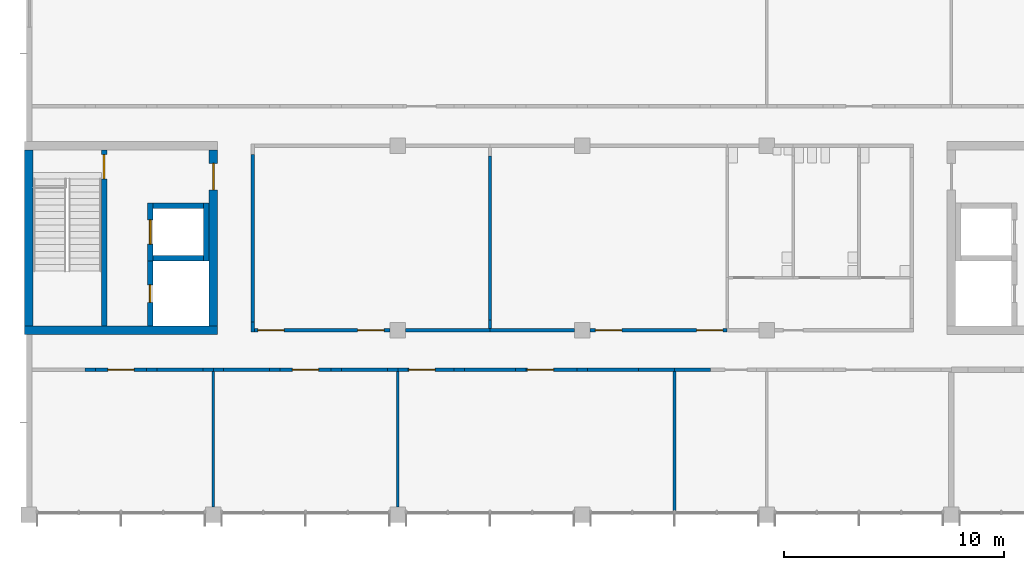
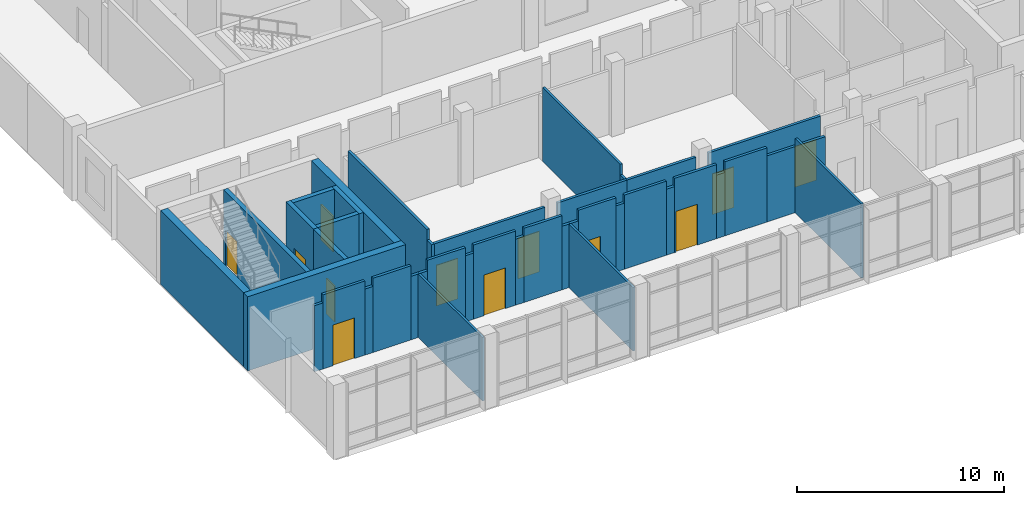
# One storey, part 31 of 70: 42 walls, 12 doors, 12 openings.
"""IFC4 building model written with IfcOpenShell, lengths in metres."""

from ifc_helpers import new_model, si_unit, direction, frame, frame_2d, origin, place, context, subcontext, project, spatial, rectangle, extrude, material, layer, layer_set, type_object, element, fill, save


model = new_model("IFC4")

# Units and contexts
model_context = context("Model", 3, precision=1e-05, world=origin(), true_north=direction((0.0, 1.0)))
body_context = subcontext(model_context, "Body", "Model", "MODEL_VIEW")
ifc_project = project(units=[si_unit("LENGTHUNIT", "METRE"), si_unit("AREAUNIT", "SQUARE_METRE"), si_unit("VOLUMEUNIT", "CUBIC_METRE"), si_unit("PLANEANGLEUNIT", "RADIAN"), si_unit("MASSUNIT", "GRAM", prefix="KILO")], contexts=[model_context])

# Site, building, storey
site_placement = place(None, origin())
site = spatial("IfcSite", under=ifc_project, at=site_placement, CompositionType="ELEMENT")
building_placement = place(site_placement, origin())
building = spatial("IfcBuilding", under=site, at=building_placement, Name="Hlaing Beacon Police Headquarters", CompositionType="ELEMENT")
storey_placement = place(building_placement, frame((0.0, 0.0, 5.39990234375)))
storey = spatial("IfcBuildingStorey", under=building, at=storey_placement, Name="L01", CompositionType="ELEMENT", Elevation=5.39990234375)

# Walls
ifc_material_1 = material(Name="Concrete C60/75", Category="concrete")
ifc_layer_1 = layer(ifc_material_1, 0.39990234375)
ifc_layer_set_1 = layer_set([ifc_layer_1], Name="Concrete C60/75")
wall_type_1 = type_object("IfcWallType", Name="Core shear wall 400", PredefinedType="SHEAR", material=ifc_layer_set_1)
wall_1_placement = place(storey_placement, frame((8.199951171875, 16.800048828125, 0.0), z_axis=(0.0, 0.0, 1.0), x_axis=(1.0, 0.0, 0.0)))
element("IfcWall", 1, at=wall_1_placement, inside=storey, type_object=wall_type_1, Name="Core shear wall", PredefinedType="SHEAR", context=body_context, shape_type="SweptSolid", body=[
    extrude(rectangle(XDim=8.800048828125, YDim=0.39990234375, at=frame_2d((4.39990234375, 0.0))), origin(), (0.0, 0.0, 1.0), 4.3701171875),
])
wall_2_placement = place(storey_placement, frame((8.39990234375, 17.0, 0.0), z_axis=(0.0, 0.0, 1.0), x_axis=(0.0, 1.0, 0.0)))
element("IfcWall", 2, at=wall_2_placement, inside=storey, type_object=wall_type_1, Name="Core shear wall", PredefinedType="SHEAR", context=body_context, shape_type="SweptSolid", body=[
    extrude(rectangle(XDim=8.0, YDim=0.39990234375, at=frame_2d((4.0, 0.0))), origin(), (0.0, 0.0, 1.0), 4.3701171875),
])

# Wall, opening, door
wall_3_placement = place(storey_placement, frame((16.800048828125, 17.0, 0.0), z_axis=(0.0, 0.0, 1.0), x_axis=(0.0, 1.0, 0.0)))
wall_3 = element("IfcWall", 3, at=wall_3_placement, inside=storey, type_object=wall_type_1, Name="Core shear wall", PredefinedType="SHEAR", context=body_context, shape_type="SweptSolid", body=[
    extrude(rectangle(XDim=8.0, YDim=0.39990234375, at=frame_2d((4.0, 0.0))), origin(), (0.0, 0.0, 1.0), 4.3701171875),
])
opening_1_placement = place(wall_3_placement, frame((6.199951171875, 0.0, 0.0)))
opening_1 = element("IfcOpeningElement", 4, at=opening_1_placement, cuts=wall_3, Name="Opening L01-929", PredefinedType="OPENING", context=body_context, shape_type="SweptSolid", body=[
    extrude(rectangle(XDim=1.199951171875, YDim=2.10009765625, at=frame_2d((0.60009765625, 1.050048828125))), frame((0.0, 0.2099609375, 0.0), z_axis=(0.0, -1.0, 0.0), x_axis=(1.0, 0.0, 0.0)), (0.0, 0.0, 1.0), 0.419921875),
])
ifc_material_2 = material(Name="Steel fire door leaf", Category="steel")
ifc_layer_2 = layer(ifc_material_2, 0.070068359375)
ifc_layer_set_2 = layer_set([ifc_layer_2], Name="Steel fire door leaf")
door_type_1 = type_object("IfcDoorType", Name="Steel fire door FD60S 1200x2100", OperationType="SINGLE_SWING_LEFT", PredefinedType="DOOR", material=ifc_layer_set_2)
door_1_placement = place(opening_1_placement, origin())
door_1 = element("IfcDoor", 5, at=door_1_placement, inside=storey, type_object=door_type_1, Name="Door Lift and Stair Lobby ST-J Entry", OperationType="SINGLE_SWING_RIGHT", OverallHeight=2.10009765625, OverallWidth=1.199951171875, PredefinedType="DOOR", context=body_context, shape_type="SweptSolid", body=[
    extrude(rectangle(XDim=1.199951171875, YDim=2.10009765625, at=frame_2d((0.60009765625, 1.050048828125))), frame((0.0, 0.03515625, 0.0), z_axis=(0.0, -1.0, 0.0), x_axis=(1.0, 0.0, 0.0)), (0.0, 0.0, 1.0), 0.070068359375),
])
fill(opening_1, door_1)

# Walls
ifc_material_3 = material(Name="Gypsum board partition")
ifc_layer_3 = layer(ifc_material_3, 0.14990234375)
ifc_layer_set_3 = layer_set([ifc_layer_3], Name="Gypsum board partition")
wall_type_2 = type_object("IfcWallType", Name="Corridor wall EI 30 150", PredefinedType="PARTITIONING", material=ifc_layer_set_3)
wall_4_placement = place(storey_placement, frame((18.60009765625, 16.72509765625, 0.0), z_axis=(0.0, 0.0, 1.0), x_axis=(0.0, 1.0, 0.0)))
element("IfcWall", 6, at=wall_4_placement, inside=storey, type_object=wall_type_2, Name="Corridor wall EI 30 150", PredefinedType="PARTITIONING", context=body_context, shape_type="SweptSolid", body=[
    extrude(rectangle(XDim=0.4599609375, YDim=0.14990234375, at=frame_2d((0.22998046875, 0.0))), origin(), (0.0, 0.0, 1.0), 3.74609375),
])
wall_5_placement = place(storey_placement, frame((18.60009765625, 17.18505859375, 0.0), z_axis=(0.0, 0.0, 1.0), x_axis=(0.0, 1.0, 0.0)))
element("IfcWall", 7, at=wall_5_placement, inside=storey, type_object=wall_type_2, Name="Corridor wall EI 30 150", PredefinedType="PARTITIONING", context=body_context, shape_type="SweptSolid", body=[
    extrude(rectangle(XDim=7.6298828125, YDim=0.14990234375, at=frame_2d((3.81494140625, 0.0))), origin(), (0.0, 0.0, 1.0), 4.3701171875),
])

# Wall, openings, doors
wall_6_placement = place(storey_placement, frame((18.675048828125, 16.800048828125, 0.0), z_axis=(0.0, 0.0, 1.0), x_axis=(1.0, 0.0, 0.0)))
wall_6 = element("IfcWall", 8, at=wall_6_placement, inside=storey, type_object=wall_type_2, Name="Corridor wall EI 30 150", PredefinedType="PARTITIONING", context=body_context, shape_type="SweptSolid", body=[
    extrude(rectangle(XDim=6.175048828125, YDim=0.14990234375, at=frame_2d((3.08740234375, 0.0))), origin(), (0.0, 0.0, 1.0), 3.74609375),
])
opening_2_placement = place(wall_6_placement, frame((0.14990234375, 0.0, 0.0)))
opening_2 = element("IfcOpeningElement", 9, at=opening_2_placement, cuts=wall_6, Name="Opening L01-029", PredefinedType="OPENING", context=body_context, shape_type="SweptSolid", body=[
    extrude(rectangle(XDim=1.199951171875, YDim=2.39990234375, at=frame_2d((0.60009765625, 1.199951171875))), frame((0.0, 0.0849609375, 0.0), z_axis=(0.0, -1.0, 0.0), x_axis=(1.0, 0.0, 0.0)), (0.0, 0.0, 1.0), 0.169921875),
])
opening_3_placement = place(wall_6_placement, frame((4.699951171875, 0.0, 0.0)))
opening_3 = element("IfcOpeningElement", 10, at=opening_3_placement, cuts=wall_6, Name="Opening L01-030", PredefinedType="OPENING", context=body_context, shape_type="SweptSolid", body=[
    extrude(rectangle(XDim=1.199951171875, YDim=2.39990234375, at=frame_2d((0.60009765625, 1.199951171875))), frame((0.0, 0.0849609375, 0.0), z_axis=(0.0, -1.0, 0.0), x_axis=(1.0, 0.0, 0.0)), (0.0, 0.0, 1.0), 0.169921875),
])
ifc_material_4 = material(Name="Hardwood door leaf", Category="wood")
ifc_layer_4 = layer(ifc_material_4, 0.050048828125)
ifc_layer_set_4 = layer_set([ifc_layer_4], Name="Hardwood door leaf")
door_type_2 = type_object("IfcDoorType", Name="Fire public door FD30S 1200x2400", OperationType="SINGLE_SWING_LEFT", PredefinedType="DOOR", material=ifc_layer_set_4)
door_2_placement = place(opening_2_placement, frame((1.199951171875, 0.0, 0.0), z_axis=(0.0, 0.0, 1.0), x_axis=(-1.0, 0.0, 0.0)))
door_2 = element("IfcDoor", 11, at=door_2_placement, inside=storey, type_object=door_type_2, Name="Door Meeting Room 1", OperationType="SINGLE_SWING_RIGHT", OverallHeight=2.39990234375, OverallWidth=1.199951171875, PredefinedType="DOOR", context=body_context, shape_type="SweptSolid", body=[
    extrude(rectangle(XDim=1.199951171875, YDim=2.39990234375, at=frame_2d((0.599853515625, 1.199951171875))), frame((0.0, 0.025146484375, 0.0), z_axis=(0.0, -1.0, 0.0), x_axis=(1.0, 0.0, 0.0)), (0.0, 0.0, 1.0), 0.050048828125),
])
fill(opening_2, door_2)
door_3_placement = place(opening_3_placement, frame((1.199951171875, 0.0, 0.0), z_axis=(0.0, 0.0, 1.0), x_axis=(-1.0, 0.0, 0.0)))
door_3 = element("IfcDoor", 12, at=door_3_placement, inside=storey, type_object=door_type_2, Name="Door Meeting Room 1", OperationType="SINGLE_SWING_RIGHT", OverallHeight=2.39990234375, OverallWidth=1.199951171875, PredefinedType="DOOR", context=body_context, shape_type="SweptSolid", body=[
    extrude(rectangle(XDim=1.199951171875, YDim=2.39990234375, at=frame_2d((0.599853515625, 1.199951171875))), frame((0.0, 0.025146484375, 0.0), z_axis=(0.0, -1.0, 0.0), x_axis=(1.0, 0.0, 0.0)), (0.0, 0.0, 1.0), 0.050048828125),
])
fill(opening_3, door_3)

# Walls
wall_7_placement = place(storey_placement, frame((25.550048828125, 16.800048828125, 0.0), z_axis=(0.0, 0.0, 1.0), x_axis=(1.0, 0.0, 0.0)))
element("IfcWall", 13, at=wall_7_placement, inside=storey, type_object=wall_type_2, Name="Corridor wall EI 30 150", PredefinedType="PARTITIONING", context=body_context, shape_type="SweptSolid", body=[
    extrude(rectangle(XDim=3.849853515625, YDim=0.14990234375, at=frame_2d((1.9248046875, 0.0))), origin(), (0.0, 0.0, 1.0), 3.74609375),
])
wall_8_placement = place(storey_placement, frame((29.39990234375, 16.800048828125, 0.0), z_axis=(0.0, 0.0, 1.0), x_axis=(1.0, 0.0, 0.0)))
element("IfcWall", 14, at=wall_8_placement, inside=storey, type_object=wall_type_2, Name="Corridor wall EI 30 150", PredefinedType="PARTITIONING", context=body_context, shape_type="SweptSolid", body=[
    extrude(rectangle(XDim=3.85009765625, YDim=0.14990234375, at=frame_2d((1.925048828125, 0.0))), origin(), (0.0, 0.0, 1.0), 3.74609375),
])

# Wall, openings, doors
wall_9_placement = place(storey_placement, frame((33.949951171875, 16.800048828125, 0.0), z_axis=(0.0, 0.0, 1.0), x_axis=(1.0, 0.0, 0.0)))
wall_9 = element("IfcWall", 15, at=wall_9_placement, inside=storey, type_object=wall_type_2, Name="Corridor wall EI 30 150", PredefinedType="PARTITIONING", context=body_context, shape_type="SweptSolid", body=[
    extrude(rectangle(XDim=6.25, YDim=0.14990234375, at=frame_2d((3.125, 0.0))), origin(), (0.0, 0.0, 1.0), 3.74609375),
])
opening_4_placement = place(wall_9_placement, frame((0.25, 0.0, 0.0)))
opening_4 = element("IfcOpeningElement", 16, at=opening_4_placement, cuts=wall_9, Name="Opening L01-031", PredefinedType="OPENING", context=body_context, shape_type="SweptSolid", body=[
    extrude(rectangle(XDim=1.199951171875, YDim=2.39990234375, at=frame_2d((0.60009765625, 1.199951171875))), frame((0.0, 0.0849609375, 0.0), z_axis=(0.0, -1.0, 0.0), x_axis=(1.0, 0.0, 0.0)), (0.0, 0.0, 1.0), 0.169921875),
])
opening_5_placement = place(wall_9_placement, frame((4.85009765625, 0.0, 0.0)))
opening_5 = element("IfcOpeningElement", 17, at=opening_5_placement, cuts=wall_9, Name="Opening L01-032", PredefinedType="OPENING", context=body_context, shape_type="SweptSolid", body=[
    extrude(rectangle(XDim=1.199951171875, YDim=2.39990234375, at=frame_2d((0.60009765625, 1.199951171875))), frame((0.0, 0.0849609375, 0.0), z_axis=(0.0, -1.0, 0.0), x_axis=(1.0, 0.0, 0.0)), (0.0, 0.0, 1.0), 0.169921875),
])
door_4_placement = place(opening_4_placement, frame((1.199951171875, 0.0, 0.0), z_axis=(0.0, 0.0, 1.0), x_axis=(-1.0, 0.0, 0.0)))
door_4 = element("IfcDoor", 18, at=door_4_placement, inside=storey, type_object=door_type_2, Name="Door Meeting Room 2", OperationType="SINGLE_SWING_LEFT", OverallHeight=2.39990234375, OverallWidth=1.199951171875, PredefinedType="DOOR", context=body_context, shape_type="SweptSolid", body=[
    extrude(rectangle(XDim=1.199951171875, YDim=2.39990234375, at=frame_2d((0.599853515625, 1.199951171875))), frame((0.0, 0.025146484375, 0.0), z_axis=(0.0, -1.0, 0.0), x_axis=(1.0, 0.0, 0.0)), (0.0, 0.0, 1.0), 0.050048828125),
])
fill(opening_4, door_4)
door_5_placement = place(opening_5_placement, frame((1.199951171875, 0.0, 0.0), z_axis=(0.0, 0.0, 1.0), x_axis=(-1.0, 0.0, 0.0)))
door_5 = element("IfcDoor", 19, at=door_5_placement, inside=storey, type_object=door_type_2, Name="Door Meeting Room 2", OperationType="SINGLE_SWING_RIGHT", OverallHeight=2.39990234375, OverallWidth=1.199951171875, PredefinedType="DOOR", context=body_context, shape_type="SweptSolid", body=[
    extrude(rectangle(XDim=1.199951171875, YDim=2.39990234375, at=frame_2d((0.599853515625, 1.199951171875))), frame((0.0, 0.025146484375, 0.0), z_axis=(0.0, -1.0, 0.0), x_axis=(1.0, 0.0, 0.0)), (0.0, 0.0, 1.0), 0.050048828125),
])
fill(opening_5, door_5)

# Wall
wall_10_placement = place(storey_placement, frame((10.969970703125, 15.0, 0.0), z_axis=(0.0, 0.0, 1.0), x_axis=(1.0, 0.0, 0.0)))
element("IfcWall", 20, at=wall_10_placement, inside=storey, type_object=wall_type_2, Name="Corridor wall EI 30 150", PredefinedType="PARTITIONING", context=body_context, shape_type="SweptSolid", body=[
    extrude(rectangle(XDim=0.4599609375, YDim=0.14990234375, at=frame_2d((0.22998046875, 0.0))), origin(), (0.0, 0.0, 1.0), 3.89501953125),
])

# Wall, opening, door
wall_11_placement = place(storey_placement, frame((11.429931640625, 15.0, 0.0), z_axis=(0.0, 0.0, 1.0), x_axis=(1.0, 0.0, 0.0)))
wall_11 = element("IfcWall", 21, at=wall_11_placement, inside=storey, type_object=wall_type_2, Name="Corridor wall EI 30 150", PredefinedType="PARTITIONING", context=body_context, shape_type="SweptSolid", body=[
    extrude(rectangle(XDim=2.340087890625, YDim=0.14990234375, at=frame_2d((1.169921875, 0.0))), origin(), (0.0, 0.0, 1.0), 4.3701171875),
])
opening_6_placement = place(wall_11_placement, frame((0.570068359375, 0.0, 0.0)))
opening_6 = element("IfcOpeningElement", 22, at=opening_6_placement, cuts=wall_11, Name="Opening L01-040", PredefinedType="OPENING", context=body_context, shape_type="SweptSolid", body=[
    extrude(rectangle(XDim=1.199951171875, YDim=2.39990234375, at=frame_2d((0.60009765625, 1.199951171875))), frame((0.0, 0.0849609375, 0.0), z_axis=(0.0, -1.0, 0.0), x_axis=(1.0, 0.0, 0.0)), (0.0, 0.0, 1.0), 0.169921875),
])
door_6_placement = place(opening_6_placement, frame((1.199951171875, 0.0, 0.0), z_axis=(0.0, 0.0, 1.0), x_axis=(-1.0, 0.0, 0.0)))
door_6 = element("IfcDoor", 23, at=door_6_placement, inside=storey, type_object=door_type_2, Name="Door Community Meeting Room 1", OperationType="SINGLE_SWING_LEFT", OverallHeight=2.39990234375, OverallWidth=1.199951171875, PredefinedType="DOOR", context=body_context, shape_type="SweptSolid", body=[
    extrude(rectangle(XDim=1.199951171875, YDim=2.39990234375, at=frame_2d((0.599853515625, 1.199951171875))), frame((0.0, 0.025146484375, 0.0), z_axis=(0.0, -1.0, 0.0), x_axis=(1.0, 0.0, 0.0)), (0.0, 0.0, 1.0), 0.050048828125),
])
fill(opening_6, door_6)

# Walls
wall_12_placement = place(storey_placement, frame((13.77001953125, 15.0, 0.0), z_axis=(0.0, 0.0, 1.0), x_axis=(1.0, 0.0, 0.0)))
element("IfcWall", 24, at=wall_12_placement, inside=storey, type_object=wall_type_2, Name="Corridor wall EI 30 150", PredefinedType="PARTITIONING", context=body_context, shape_type="SweptSolid", body=[
    extrude(rectangle(XDim=0.4599609375, YDim=0.14990234375, at=frame_2d((0.22998046875, 0.0))), origin(), (0.0, 0.0, 1.0), 3.89501953125),
])
wall_13_placement = place(storey_placement, frame((14.22998046875, 15.0, 0.0), z_axis=(0.0, 0.0, 1.0), x_axis=(1.0, 0.0, 0.0)))
element("IfcWall", 25, at=wall_13_placement, inside=storey, type_object=wall_type_2, Name="Corridor wall EI 30 150", PredefinedType="PARTITIONING", context=body_context, shape_type="SweptSolid", body=[
    extrude(rectangle(XDim=2.110107421875, YDim=0.14990234375, at=frame_2d((1.05517578125, 0.0))), origin(), (0.0, 0.0, 1.0), 4.3701171875),
])
for number, where, z_axis, x_axis, name in (
    (26, (16.340087890625, 15.0, 0.0), (0.0, 0.0, 1.0), (1.0, 0.0, 0.0), "Corridor wall EI 30 150"),
    (27, (16.800048828125, 15.0, 0.0), (0.0, 0.0, 1.0), (1.0, 0.0, 0.0), "Corridor wall EI 30 150"),
):
    element("IfcWall", number, at=place(storey_placement, frame(where, z_axis=z_axis, x_axis=x_axis)), inside=storey, type_object=wall_type_2, Name=name, PredefinedType="PARTITIONING", context=body_context, shape_type="SweptSolid", body=[
        extrude(rectangle(XDim=0.4599609375, YDim=0.14990234375, at=frame_2d((0.22998046875, 0.0))), origin(), (0.0, 0.0, 1.0), 3.74609375),
    ])
wall_14_placement = place(storey_placement, frame((17.260009765625, 15.0, 0.0), z_axis=(0.0, 0.0, 1.0), x_axis=(1.0, 0.0, 0.0)))
element("IfcWall", 28, at=wall_14_placement, inside=storey, type_object=wall_type_2, Name="Corridor wall EI 30 150", PredefinedType="PARTITIONING", context=body_context, shape_type="SweptSolid", body=[
    extrude(rectangle(XDim=2.110107421875, YDim=0.14990234375, at=frame_2d((1.05517578125, 0.0))), origin(), (0.0, 0.0, 1.0), 4.3701171875),
])
wall_15_placement = place(storey_placement, frame((19.3701171875, 15.0, 0.0), z_axis=(0.0, 0.0, 1.0), x_axis=(1.0, 0.0, 0.0)))
element("IfcWall", 29, at=wall_15_placement, inside=storey, type_object=wall_type_2, Name="Corridor wall EI 30 150", PredefinedType="PARTITIONING", context=body_context, shape_type="SweptSolid", body=[
    extrude(rectangle(XDim=0.4599609375, YDim=0.14990234375, at=frame_2d((0.22998046875, 0.0))), origin(), (0.0, 0.0, 1.0), 3.89501953125),
])

# Wall, opening, door
wall_16_placement = place(storey_placement, frame((19.830078125, 15.0, 0.0), z_axis=(0.0, 0.0, 1.0), x_axis=(1.0, 0.0, 0.0)))
wall_16 = element("IfcWall", 30, at=wall_16_placement, inside=storey, type_object=wall_type_2, Name="Corridor wall EI 30 150", PredefinedType="PARTITIONING", context=body_context, shape_type="SweptSolid", body=[
    extrude(rectangle(XDim=2.33984375, YDim=0.14990234375, at=frame_2d((1.169921875, 0.0))), origin(), (0.0, 0.0, 1.0), 4.3701171875),
])
opening_7_placement = place(wall_16_placement, frame((0.570068359375, 0.0, 0.0)))
opening_7 = element("IfcOpeningElement", 31, at=opening_7_placement, cuts=wall_16, Name="Opening L01-042", PredefinedType="OPENING", context=body_context, shape_type="SweptSolid", body=[
    extrude(rectangle(XDim=1.199951171875, YDim=2.39990234375, at=frame_2d((0.60009765625, 1.199951171875))), frame((0.0, 0.0849609375, 0.0), z_axis=(0.0, -1.0, 0.0), x_axis=(1.0, 0.0, 0.0)), (0.0, 0.0, 1.0), 0.169921875),
])
door_7_placement = place(opening_7_placement, frame((1.199951171875, 0.0, 0.0), z_axis=(0.0, 0.0, 1.0), x_axis=(-1.0, 0.0, 0.0)))
door_7 = element("IfcDoor", 32, at=door_7_placement, inside=storey, type_object=door_type_2, Name="Door Community Meeting Room 2", OperationType="SINGLE_SWING_LEFT", OverallHeight=2.39990234375, OverallWidth=1.199951171875, PredefinedType="DOOR", context=body_context, shape_type="SweptSolid", body=[
    extrude(rectangle(XDim=1.199951171875, YDim=2.39990234375, at=frame_2d((0.599853515625, 1.199951171875))), frame((0.0, 0.025146484375, 0.0), z_axis=(0.0, -1.0, 0.0), x_axis=(1.0, 0.0, 0.0)), (0.0, 0.0, 1.0), 0.050048828125),
])
fill(opening_7, door_7)

# Walls
wall_17_placement = place(storey_placement, frame((22.169921875, 15.0, 0.0), z_axis=(0.0, 0.0, 1.0), x_axis=(1.0, 0.0, 0.0)))
element("IfcWall", 33, at=wall_17_placement, inside=storey, type_object=wall_type_2, Name="Corridor wall EI 30 150", PredefinedType="PARTITIONING", context=body_context, shape_type="SweptSolid", body=[
    extrude(rectangle(XDim=0.4599609375, YDim=0.14990234375, at=frame_2d((0.22998046875, 0.0))), origin(), (0.0, 0.0, 1.0), 3.89501953125),
])
wall_18_placement = place(storey_placement, frame((22.6298828125, 15.0, 0.0), z_axis=(0.0, 0.0, 1.0), x_axis=(1.0, 0.0, 0.0)))
element("IfcWall", 34, at=wall_18_placement, inside=storey, type_object=wall_type_2, Name="Corridor wall EI 30 150", PredefinedType="PARTITIONING", context=body_context, shape_type="SweptSolid", body=[
    extrude(rectangle(XDim=2.110107421875, YDim=0.14990234375, at=frame_2d((1.05517578125, 0.0))), origin(), (0.0, 0.0, 1.0), 4.3701171875),
])
for number, where, z_axis, x_axis, name in (
    (35, (24.739990234375, 15.0, 0.0), (0.0, 0.0, 1.0), (1.0, 0.0, 0.0), "Corridor wall EI 30 150"),
    (36, (25.199951171875, 15.0, 0.0), (0.0, 0.0, 1.0), (1.0, 0.0, 0.0), "Corridor wall EI 30 150"),
):
    element("IfcWall", number, at=place(storey_placement, frame(where, z_axis=z_axis, x_axis=x_axis)), inside=storey, type_object=wall_type_2, Name=name, PredefinedType="PARTITIONING", context=body_context, shape_type="SweptSolid", body=[
        extrude(rectangle(XDim=0.4599609375, YDim=0.14990234375, at=frame_2d((0.22998046875, 0.0))), origin(), (0.0, 0.0, 1.0), 3.74609375),
    ])

# Wall, opening, door
wall_19_placement = place(storey_placement, frame((25.659912109375, 15.0, 0.0), z_axis=(0.0, 0.0, 1.0), x_axis=(1.0, 0.0, 0.0)))
wall_19 = element("IfcWall", 37, at=wall_19_placement, inside=storey, type_object=wall_type_2, Name="Corridor wall EI 30 150", PredefinedType="PARTITIONING", context=body_context, shape_type="SweptSolid", body=[
    extrude(rectangle(XDim=2.110107421875, YDim=0.14990234375, at=frame_2d((1.05517578125, 0.0))), origin(), (0.0, 0.0, 1.0), 4.3701171875),
])
opening_8_placement = place(wall_19_placement, frame((0.0400390625, 0.0, 0.0)))
opening_8 = element("IfcOpeningElement", 38, at=opening_8_placement, cuts=wall_19, Name="Opening L01-043", PredefinedType="OPENING", context=body_context, shape_type="SweptSolid", body=[
    extrude(rectangle(XDim=1.199951171875, YDim=2.39990234375, at=frame_2d((0.60009765625, 1.199951171875))), frame((0.0, 0.0849609375, 0.0), z_axis=(0.0, -1.0, 0.0), x_axis=(1.0, 0.0, 0.0)), (0.0, 0.0, 1.0), 0.169921875),
])
door_8_placement = place(opening_8_placement, origin())
door_8 = element("IfcDoor", 39, at=door_8_placement, inside=storey, type_object=door_type_2, Name="Door Police Heritage Room", OperationType="SINGLE_SWING_LEFT", OverallHeight=2.39990234375, OverallWidth=1.199951171875, PredefinedType="DOOR", context=body_context, shape_type="SweptSolid", body=[
    extrude(rectangle(XDim=1.199951171875, YDim=2.39990234375, at=frame_2d((0.60009765625, 1.199951171875))), frame((0.0, 0.02490234375, 0.0), z_axis=(0.0, -1.0, 0.0), x_axis=(1.0, 0.0, 0.0)), (0.0, 0.0, 1.0), 0.050048828125),
])
fill(opening_8, door_8)

# Walls
wall_20_placement = place(storey_placement, frame((27.77001953125, 15.0, 0.0), z_axis=(0.0, 0.0, 1.0), x_axis=(1.0, 0.0, 0.0)))
element("IfcWall", 40, at=wall_20_placement, inside=storey, type_object=wall_type_2, Name="Corridor wall EI 30 150", PredefinedType="PARTITIONING", context=body_context, shape_type="SweptSolid", body=[
    extrude(rectangle(XDim=0.4599609375, YDim=0.14990234375, at=frame_2d((0.22998046875, 0.0))), origin(), (0.0, 0.0, 1.0), 3.89501953125),
])
wall_21_placement = place(storey_placement, frame((28.22998046875, 15.0, 0.0), z_axis=(0.0, 0.0, 1.0), x_axis=(1.0, 0.0, 0.0)))
element("IfcWall", 41, at=wall_21_placement, inside=storey, type_object=wall_type_2, Name="Corridor wall EI 30 150", PredefinedType="PARTITIONING", context=body_context, shape_type="SweptSolid", body=[
    extrude(rectangle(XDim=2.340087890625, YDim=0.14990234375, at=frame_2d((1.169921875, 0.0))), origin(), (0.0, 0.0, 1.0), 4.3701171875),
])
wall_22_placement = place(storey_placement, frame((30.570068359375, 15.0, 0.0), z_axis=(0.0, 0.0, 1.0), x_axis=(1.0, 0.0, 0.0)))
element("IfcWall", 42, at=wall_22_placement, inside=storey, type_object=wall_type_2, Name="Corridor wall EI 30 150", PredefinedType="PARTITIONING", context=body_context, shape_type="SweptSolid", body=[
    extrude(rectangle(XDim=0.4599609375, YDim=0.14990234375, at=frame_2d((0.22998046875, 0.0))), origin(), (0.0, 0.0, 1.0), 3.89501953125),
])

# Wall, opening, door
wall_23_placement = place(storey_placement, frame((31.030029296875, 15.0, 0.0), z_axis=(0.0, 0.0, 1.0), x_axis=(1.0, 0.0, 0.0)))
wall_23 = element("IfcWall", 43, at=wall_23_placement, inside=storey, type_object=wall_type_2, Name="Corridor wall EI 30 150", PredefinedType="PARTITIONING", context=body_context, shape_type="SweptSolid", body=[
    extrude(rectangle(XDim=2.340087890625, YDim=0.14990234375, at=frame_2d((1.169921875, 0.0))), origin(), (0.0, 0.0, 1.0), 4.3701171875),
])
opening_9_placement = place(wall_23_placement, frame((0.070068359375, 0.0, 0.0)))
opening_9 = element("IfcOpeningElement", 44, at=opening_9_placement, cuts=wall_23, Name="Opening L01-044", PredefinedType="OPENING", context=body_context, shape_type="SweptSolid", body=[
    extrude(rectangle(XDim=1.199951171875, YDim=2.39990234375, at=frame_2d((0.60009765625, 1.199951171875))), frame((0.0, 0.0849609375, 0.0), z_axis=(0.0, -1.0, 0.0), x_axis=(1.0, 0.0, 0.0)), (0.0, 0.0, 1.0), 0.169921875),
])
door_9_placement = place(opening_9_placement, origin())
door_9 = element("IfcDoor", 45, at=door_9_placement, inside=storey, type_object=door_type_2, Name="Door Police Heritage Room", OperationType="SINGLE_SWING_RIGHT", OverallHeight=2.39990234375, OverallWidth=1.199951171875, PredefinedType="DOOR", context=body_context, shape_type="SweptSolid", body=[
    extrude(rectangle(XDim=1.199951171875, YDim=2.39990234375, at=frame_2d((0.60009765625, 1.199951171875))), frame((0.0, 0.02490234375, 0.0), z_axis=(0.0, -1.0, 0.0), x_axis=(1.0, 0.0, 0.0)), (0.0, 0.0, 1.0), 0.050048828125),
])
fill(opening_9, door_9)

# Walls
wall_24_placement = place(storey_placement, frame((33.3701171875, 15.0, 0.0), z_axis=(0.0, 0.0, 1.0), x_axis=(1.0, 0.0, 0.0)))
element("IfcWall", 46, at=wall_24_placement, inside=storey, type_object=wall_type_2, Name="Corridor wall EI 30 150", PredefinedType="PARTITIONING", context=body_context, shape_type="SweptSolid", body=[
    extrude(rectangle(XDim=0.4599609375, YDim=0.14990234375, at=frame_2d((0.22998046875, 0.0))), origin(), (0.0, 0.0, 1.0), 3.74609375),
])
wall_25_placement = place(storey_placement, frame((33.830078125, 15.0, 0.0), z_axis=(0.0, 0.0, 1.0), x_axis=(1.0, 0.0, 0.0)))
element("IfcWall", 47, at=wall_25_placement, inside=storey, type_object=wall_type_2, Name="Corridor wall EI 30 150", PredefinedType="PARTITIONING", context=body_context, shape_type="SweptSolid", body=[
    extrude(rectangle(XDim=2.33984375, YDim=0.14990234375, at=frame_2d((1.169921875, 0.0))), origin(), (0.0, 0.0, 1.0), 4.3701171875),
])
wall_26_placement = place(storey_placement, frame((36.169921875, 15.0, 0.0), z_axis=(0.0, 0.0, 1.0), x_axis=(1.0, 0.0, 0.0)))
element("IfcWall", 48, at=wall_26_placement, inside=storey, type_object=wall_type_2, Name="Corridor wall EI 30 150", PredefinedType="PARTITIONING", context=body_context, shape_type="SweptSolid", body=[
    extrude(rectangle(XDim=1.630126953125, YDim=0.14990234375, at=frame_2d((0.81494140625, 0.0))), origin(), (0.0, 0.0, 1.0), 3.89501953125),
])
wall_27_placement = place(storey_placement, frame((37.800048828125, 15.0, 0.0), z_axis=(0.0, 0.0, 1.0), x_axis=(1.0, 0.0, 0.0)))
element("IfcWall", 49, at=wall_27_placement, inside=storey, type_object=wall_type_2, Name="Corridor wall EI 30 150", PredefinedType="PARTITIONING", context=body_context, shape_type="SweptSolid", body=[
    extrude(rectangle(XDim=1.6298828125, YDim=0.14990234375, at=frame_2d((0.81494140625, 0.0))), origin(), (0.0, 0.0, 1.0), 3.89501953125),
])
ifc_material_5 = material(Name="Gypsum board partition")
ifc_layer_5 = layer(ifc_material_5, 0.125)
ifc_layer_set_5 = layer_set([ifc_layer_5], Name="Gypsum board partition")
wall_type_3 = type_object("IfcWallType", Name="Partition 125", PredefinedType="PARTITIONING", material=ifc_layer_set_5)
wall_28_placement = place(storey_placement, frame((29.39990234375, 16.875, 0.0), z_axis=(0.0, 0.0, 1.0), x_axis=(0.0, 1.0, 0.0)))
element("IfcWall", 50, at=wall_28_placement, inside=storey, type_object=wall_type_3, Name="Partition 125", PredefinedType="PARTITIONING", context=body_context, shape_type="SweptSolid", body=[
    extrude(rectangle(XDim=0.385009765625, YDim=0.125, at=frame_2d((0.1923828125, 0.0))), origin(), (0.0, 0.0, 1.0), 3.74609375),
])
wall_29_placement = place(storey_placement, frame((29.39990234375, 17.260009765625, 0.0), z_axis=(0.0, 0.0, 1.0), x_axis=(0.0, 1.0, 0.0)))
element("IfcWall", 51, at=wall_29_placement, inside=storey, type_object=wall_type_3, Name="Partition 125", PredefinedType="PARTITIONING", context=body_context, shape_type="SweptSolid", body=[
    extrude(rectangle(XDim=7.47998046875, YDim=0.125, at=frame_2d((3.739990234375, 0.0))), origin(), (0.0, 0.0, 1.0), 4.3701171875),
])
for number, where, z_axis, x_axis, name in (
    (52, (16.800048828125, 8.75, 0.0), (0.0, 0.0, 1.0), (0.0, 1.0, 0.0), "Partition 125"),
    (53, (25.199951171875, 8.75, 0.0), (0.0, 0.0, 1.0), (0.0, 1.0, 0.0), "Partition 125"),
):
    element("IfcWall", number, at=place(storey_placement, frame(where, z_axis=z_axis, x_axis=x_axis)), inside=storey, type_object=wall_type_3, Name=name, PredefinedType="PARTITIONING", context=body_context, shape_type="SweptSolid", body=[
        extrude(rectangle(XDim=6.175048828125, YDim=0.125, at=frame_2d((3.08740234375, 0.0))), origin(), (0.0, 0.0, 1.0), 3.74609375),
    ])
wall_30_placement = place(storey_placement, frame((37.800048828125, 8.550048828125, 0.0), z_axis=(0.0, 0.0, 1.0), x_axis=(0.0, 1.0, 0.0)))
element("IfcWall", 54, at=wall_30_placement, inside=storey, type_object=wall_type_3, Name="Partition 125", PredefinedType="PARTITIONING", context=body_context, shape_type="SweptSolid", body=[
    extrude(rectangle(XDim=6.375, YDim=0.125, at=frame_2d((3.1875, 0.0))), origin(), (0.0, 0.0, 1.0), 4.3701171875),
])

# Wall, opening, door
ifc_material_6 = material(Name="Concrete C40/50", Category="concrete")
ifc_layer_6 = layer(ifc_material_6, 0.25)
ifc_layer_set_6 = layer_set([ifc_layer_6], Name="Concrete C40/50")
wall_type_4 = type_object("IfcWallType", Name="Shaft wall 250", PredefinedType="SOLIDWALL", material=ifc_layer_set_6)
wall_31_placement = place(storey_placement, frame((11.824951171875, 25.0, 0.0), z_axis=(0.0, 0.0, 1.0), x_axis=(0.0, -1.0, 0.0)))
wall_31 = element("IfcWall", 55, at=wall_31_placement, inside=storey, type_object=wall_type_4, Name="Stair enclosure wall", PredefinedType="SOLIDWALL", context=body_context, shape_type="SweptSolid", body=[
    extrude(rectangle(XDim=8.0, YDim=0.25, at=frame_2d((4.0, 0.0))), origin(), (0.0, 0.0, 1.0), 4.3701171875),
])
opening_10_placement = place(wall_31_placement, frame((0.199951171875, 0.0, 0.0)))
opening_10 = element("IfcOpeningElement", 56, at=opening_10_placement, cuts=wall_31, Name="Opening L01-931", PredefinedType="OPENING", context=body_context, shape_type="SweptSolid", body=[
    extrude(rectangle(XDim=1.10009765625, YDim=2.10009765625, at=frame_2d((0.550048828125, 1.050048828125))), frame((0.0, 0.135009765625, 0.0), z_axis=(0.0, -1.0, 0.0), x_axis=(1.0, 0.0, 0.0)), (0.0, 0.0, 1.0), 0.27001953125),
])
ifc_material_7 = material(Name="Steel fire door leaf", Category="steel")
ifc_layer_7 = layer(ifc_material_7, 0.070068359375)
ifc_layer_set_7 = layer_set([ifc_layer_7], Name="Steel fire door leaf")
door_type_3 = type_object("IfcDoorType", Name="Steel fire door FD60 1100x2100", OperationType="SINGLE_SWING_LEFT", PredefinedType="DOOR", material=ifc_layer_set_7)
door_10_placement = place(opening_10_placement, frame((1.10009765625, 0.0, 0.0), z_axis=(0.0, 0.0, 1.0), x_axis=(-1.0, 0.0, 0.0)))
door_10 = element("IfcDoor", 57, at=door_10_placement, inside=storey, type_object=door_type_3, Name="Door Stair ST-J", OperationType="SINGLE_SWING_LEFT", OverallHeight=2.10009765625, OverallWidth=1.10009765625, PredefinedType="DOOR", context=body_context, shape_type="SweptSolid", body=[
    extrude(rectangle(XDim=1.10009765625, YDim=2.10009765625, at=frame_2d((0.550048828125, 1.050048828125))), frame((0.0, 0.034912109375, 0.0), z_axis=(0.0, -1.0, 0.0), x_axis=(1.0, 0.0, 0.0)), (0.0, 0.0, 1.0), 0.070068359375),
])
fill(opening_10, door_10)

wall_32_placement = place(storey_placement, frame((13.925048828125, 19.949951171875, 0.0), z_axis=(0.0, 0.0, 1.0), x_axis=(0.0, -1.0, 0.0)))
wall_32 = element("IfcWall", 58, at=wall_32_placement, inside=storey, type_object=wall_type_4, Name="Lobby wall", PredefinedType="SOLIDWALL", context=body_context, shape_type="SweptSolid", body=[
    extrude(rectangle(XDim=2.949951171875, YDim=0.25, at=frame_2d((1.47509765625, 0.0))), origin(), (0.0, 0.0, 1.0), 4.3701171875),
])
opening_11_placement = place(wall_32_placement, frame((1.074951171875, 0.0, 0.0)))
opening_11 = element("IfcOpeningElement", 59, at=opening_11_placement, cuts=wall_32, Name="Opening L01-930", PredefinedType="OPENING", context=body_context, shape_type="SweptSolid", body=[
    extrude(rectangle(XDim=0.800048828125, YDim=2.10009765625, at=frame_2d((0.39990234375, 1.050048828125))), frame((0.0, 0.135009765625, 0.0), z_axis=(0.0, -1.0, 0.0), x_axis=(1.0, 0.0, 0.0)), (0.0, 0.0, 1.0), 0.27001953125),
])
ifc_material_8 = material(Name="Steel fire door leaf", Category="steel")
ifc_layer_8 = layer(ifc_material_8, 0.070068359375)
ifc_layer_set_8 = layer_set([ifc_layer_8], Name="Steel fire door leaf")
door_type_4 = type_object("IfcDoorType", Name="Steel fire door FD60 800x2100", OperationType="SINGLE_SWING_LEFT", PredefinedType="DOOR", material=ifc_layer_set_8)
door_11_placement = place(opening_11_placement, origin())
door_11 = element("IfcDoor", 60, at=door_11_placement, inside=storey, type_object=door_type_4, Name="Door Services Riser", OperationType="SINGLE_SWING_LEFT", OverallHeight=2.10009765625, OverallWidth=0.800048828125, PredefinedType="DOOR", context=body_context, shape_type="SweptSolid", body=[
    extrude(rectangle(XDim=0.800048828125, YDim=2.10009765625, at=frame_2d((0.39990234375, 1.050048828125))), frame((0.0, 0.03515625, 0.0), z_axis=(0.0, -1.0, 0.0), x_axis=(1.0, 0.0, 0.0)), (0.0, 0.0, 1.0), 0.070068359375),
])
fill(opening_11, door_11)

# Walls
wall_33_placement = place(storey_placement, frame((16.47509765625, 19.949951171875, 0.0), z_axis=(0.0, 0.0, 1.0), x_axis=(0.0, 1.0, 0.0)))
element("IfcWall", 61, at=wall_33_placement, inside=storey, type_object=wall_type_4, Name="Lift shaft wall PL5", PredefinedType="SOLIDWALL", context=body_context, shape_type="SweptSolid", body=[
    extrude(rectangle(XDim=2.650146484375, YDim=0.25, at=frame_2d((1.3251953125, 0.0))), origin(), (0.0, 0.0, 1.0), 4.3701171875),
])
for number, where, z_axis, x_axis, name in (
    (62, (14.050048828125, 22.47509765625, 0.0), (0.0, 0.0, 1.0), (1.0, 0.0, 0.0), "Lift shaft wall PL5"),
    (63, (14.050048828125, 20.074951171875, 0.0), (0.0, 0.0, 1.0), (1.0, 0.0, 0.0), "Lift shaft wall PL5"),
):
    element("IfcWall", number, at=place(storey_placement, frame(where, z_axis=z_axis, x_axis=x_axis)), inside=storey, type_object=wall_type_4, Name=name, PredefinedType="SOLIDWALL", context=body_context, shape_type="SweptSolid", body=[
        extrude(rectangle(XDim=2.300048828125, YDim=0.25, at=frame_2d((1.14990234375, 0.0))), origin(), (0.0, 0.0, 1.0), 4.3701171875),
    ])

# Wall, opening, door
wall_34_placement = place(storey_placement, frame((13.925048828125, 19.949951171875, 0.0), z_axis=(0.0, 0.0, 1.0), x_axis=(0.0, 1.0, 0.0)))
wall_34 = element("IfcWall", 64, at=wall_34_placement, inside=storey, type_object=wall_type_4, Name="Lift shaft wall PL5", PredefinedType="SOLIDWALL", context=body_context, shape_type="SweptSolid", body=[
    extrude(rectangle(XDim=2.650146484375, YDim=0.25, at=frame_2d((1.3251953125, 0.0))), origin(), (0.0, 0.0, 1.0), 4.3701171875),
])
opening_12_placement = place(wall_34_placement, frame((0.77490234375, 0.0, 0.0)))
opening_12 = element("IfcOpeningElement", 65, at=opening_12_placement, cuts=wall_34, Name="Opening LD-PL5-L01", PredefinedType="OPENING", context=body_context, shape_type="SweptSolid", body=[
    extrude(rectangle(XDim=1.10009765625, YDim=2.10009765625, at=frame_2d((0.550048828125, 1.050048828125))), frame((0.0, 0.135009765625, 0.0), z_axis=(0.0, -1.0, 0.0), x_axis=(1.0, 0.0, 0.0)), (0.0, 0.0, 1.0), 0.27001953125),
])
ifc_material_9 = material(Name="Stainless steel lift landing door", Category="steel")
ifc_layer_9 = layer(ifc_material_9, 0.06005859375)
ifc_layer_set_9 = layer_set([ifc_layer_9], Name="Stainless steel lift landing door")
door_type_5 = type_object("IfcDoorType", Name="Lift landing door 1100x2100", OperationType="DOUBLE_DOOR_SLIDING", PredefinedType="DOOR", material=ifc_layer_set_9)
door_12_placement = place(opening_12_placement, origin())
door_12 = element("IfcDoor", 66, at=door_12_placement, inside=storey, type_object=door_type_5, Name="Landing door PL5 L01", OperationType="DOUBLE_DOOR_SLIDING", OverallHeight=2.10009765625, OverallWidth=1.10009765625, PredefinedType="DOOR", context=body_context, shape_type="SweptSolid", body=[
    extrude(rectangle(XDim=1.10009765625, YDim=2.10009765625, at=frame_2d((0.550048828125, 1.050048828125))), frame((0.0, 0.0400390625, 0.0), z_axis=(0.0, -1.0, 0.0), x_axis=(1.0, 0.0, 0.0)), (0.0, 0.0, 1.0), 0.080078125),
])
fill(opening_12, door_12)

save(model, "model.ifc")
